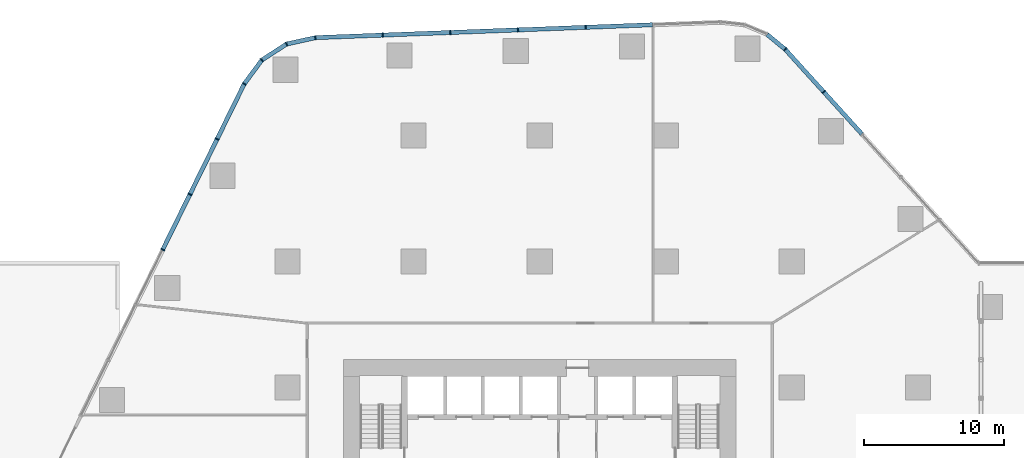
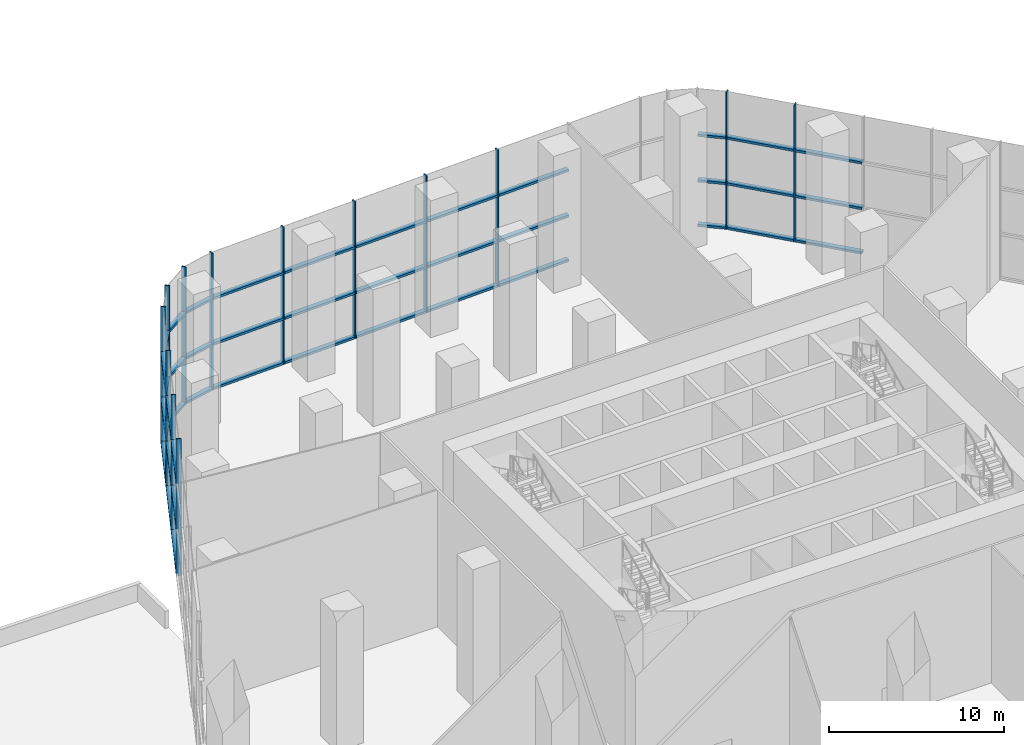
# One storey, part 9 of 21: 55 members, 5 elements without a shape of their own.
"""IFC4 building model written with IfcOpenShell, lengths in metres."""

from ifc_helpers import new_model, si_unit, direction, frame, origin, origin_2d, place, context, subcontext, project, spatial, rectangle, extrude, material, layer, layer_set, material_profile, profile_set, type_object, element, aggregate, save


model = new_model("IFC4")

# Units and contexts
model_context = context("Model", 3, precision=1e-05, world=origin(), true_north=direction((0.0, 1.0)))
body_context = subcontext(model_context, "Body", "Model", "MODEL_VIEW")
ifc_project = project(units=[si_unit("LENGTHUNIT", "METRE"), si_unit("AREAUNIT", "SQUARE_METRE"), si_unit("VOLUMEUNIT", "CUBIC_METRE"), si_unit("PLANEANGLEUNIT", "RADIAN"), si_unit("MASSUNIT", "GRAM", prefix="KILO")], contexts=[model_context])

# Site, building, storey
site_placement = place(None, origin())
site = spatial("IfcSite", under=ifc_project, at=site_placement, CompositionType="ELEMENT")
building_placement = place(site_placement, origin())
building = spatial("IfcBuilding", under=site, at=building_placement, Name="Dongbaek Canopy Tower", CompositionType="ELEMENT")
storey_placement = place(building_placement, frame((0.0, 0.0, 9.0)))
storey = spatial("IfcBuildingStorey", under=building, at=storey_placement, Name="L01", CompositionType="ELEMENT", Elevation=9.0)

# Curtain wall, members
ifc_material_1 = material(Name="Aluminium 6063-T6 pale anodised", Category="aluminium")
ifc_layer = layer(ifc_material_1, 0.300048828125)
ifc_layer_set = layer_set([ifc_layer], Name="CW-2 podium hall curtain wall")
curtain_wall_type = type_object("IfcCurtainWallType", Name="CW-2 podium hall curtain wall", PredefinedType="NOTDEFINED", material=ifc_layer_set)
curtain_wall_1_placement = place(storey_placement, origin())
curtain_wall_1 = element("IfcCurtainWall", 1, at=curtain_wall_1_placement, inside=storey, type_object=curtain_wall_type, Name="CW-2 curtain wall F5.1", PredefinedType="NOTDEFINED")
ifc_material_2 = material(Name="Aluminium 6063-T6 pale anodised", Category="aluminium")
ifc_material_profile_1 = material_profile(ifc_material_2, rectangle(XDim=0.300048828125, YDim=0.080078125, at=origin_2d()), Name="CW-2 mullion 80 x 300")
ifc_profile_set_1 = profile_set([ifc_material_profile_1], Name="Aluminium 6063-T6 pale anodised")
member_type_1 = type_object("IfcMemberType", Name="CW-2 mullion 80 x 300", PredefinedType="MULLION", material=ifc_profile_set_1)
member_1_placement = place(storey_placement, frame((20.27880859375, 30.1123046875, 0.0), z_axis=(0.0, 0.0, 1.0), x_axis=(0.741222237121, 0.671259707711, 0.0)))
member_1 = element("IfcMember", 2, at=member_1_placement, type_object=member_type_1, Name="CW-2 mullion F5.1.5", PredefinedType="MULLION", context=body_context, shape_type="SweptSolid", body=[
    extrude(rectangle(XDim=0.300048828125, YDim=0.080078125, at=origin_2d()), origin(), (0.0, 0.0, 1.0), 9.550048828125),
])
member_2_placement = place(storey_placement, frame((17.5263671875, 33.15185546875, 0.0), z_axis=(0.0, 0.0, 1.0), x_axis=(0.741222237121, 0.671259707711, 0.0)))
member_2 = element("IfcMember", 3, at=member_2_placement, type_object=member_type_1, Name="CW-2 mullion F5.1.6", PredefinedType="MULLION", context=body_context, shape_type="SweptSolid", body=[
    extrude(rectangle(XDim=0.300048828125, YDim=0.080078125, at=origin_2d()), origin(), (0.0, 0.0, 1.0), 9.550048828125),
])

curtain_wall_2_placement = place(storey_placement, origin())
curtain_wall_2 = element("IfcCurtainWall", 4, at=curtain_wall_2_placement, inside=storey, type_object=curtain_wall_type, Name="CW-2 curtain wall F6.1", PredefinedType="NOTDEFINED")
member_3_placement = place(storey_placement, frame((3.27490234375, 34.723388671875, 0.0), z_axis=(0.0, 0.0, 1.0), x_axis=(-0.038231975991, 0.999268890746, 0.0)))
member_3 = element("IfcMember", 5, at=member_3_placement, type_object=member_type_1, Name="CW-2 mullion F6.1.3", PredefinedType="MULLION", context=body_context, shape_type="SweptSolid", body=[
    extrude(rectangle(XDim=0.300048828125, YDim=0.080078125, at=origin_2d()), origin(), (0.0, 0.0, 1.0), 9.550048828125),
])
member_4_placement = place(storey_placement, frame((-1.549072265625, 34.538818359375, 0.0), z_axis=(0.0, 0.0, 1.0), x_axis=(-0.038231975991, 0.999268890746, 0.0)))
member_4 = element("IfcMember", 6, at=member_4_placement, type_object=member_type_1, Name="CW-2 mullion F6.1.4", PredefinedType="MULLION", context=body_context, shape_type="SweptSolid", body=[
    extrude(rectangle(XDim=0.300048828125, YDim=0.080078125, at=origin_2d()), origin(), (0.0, 0.0, 1.0), 9.550048828125),
])
member_5_placement = place(storey_placement, frame((-6.372802734375, 34.354248046875, 0.0), z_axis=(0.0, 0.0, 1.0), x_axis=(-0.038231975991, 0.999268890746, 0.0)))
member_5 = element("IfcMember", 7, at=member_5_placement, type_object=member_type_1, Name="CW-2 mullion F6.1.5", PredefinedType="MULLION", context=body_context, shape_type="SweptSolid", body=[
    extrude(rectangle(XDim=0.300048828125, YDim=0.080078125, at=origin_2d()), origin(), (0.0, 0.0, 1.0), 9.550048828125),
])
member_6_placement = place(storey_placement, frame((-11.19677734375, 34.169677734375, 0.0), z_axis=(0.0, 0.0, 1.0), x_axis=(-0.038231975991, 0.999268890746, 0.0)))
member_6 = element("IfcMember", 8, at=member_6_placement, type_object=member_type_1, Name="CW-2 mullion F6.1.6", PredefinedType="MULLION", context=body_context, shape_type="SweptSolid", body=[
    extrude(rectangle(XDim=0.300048828125, YDim=0.080078125, at=origin_2d()), origin(), (0.0, 0.0, 1.0), 9.550048828125),
])
member_7_placement = place(storey_placement, frame((-16.01171875, 33.9853515625, 0.0), z_axis=(0.0, 0.0, 1.0), x_axis=(-0.038231975991, 0.999268890746, 0.0)))
member_7 = element("IfcMember", 9, at=member_7_placement, type_object=member_type_1, Name="CW-2 mullion F6.1.7", PredefinedType="MULLION", context=body_context, shape_type="SweptSolid", body=[
    extrude(rectangle(XDim=0.300048828125, YDim=0.080078125, at=origin_2d()), origin(), (0.0, 0.0, 1.0), 9.550048828125),
])

curtain_wall_3_placement = place(storey_placement, origin())
curtain_wall_3 = element("IfcCurtainWall", 10, at=curtain_wall_3_placement, inside=storey, type_object=curtain_wall_type, Name="CW-2 curtain wall K2.1", PredefinedType="NOTDEFINED")
member_8_placement = place(storey_placement, frame((-18.07421875, 33.529541015625, 0.0), z_axis=(0.0, 0.0, 1.0), x_axis=(-0.386403140373, 0.92232999144, 0.0)))
member_8 = element("IfcMember", 11, at=member_8_placement, type_object=member_type_1, Name="CW-2 mullion K2.1.2", PredefinedType="MULLION", context=body_context, shape_type="SweptSolid", body=[
    extrude(rectangle(XDim=0.300048828125, YDim=0.080078125, at=origin_2d()), origin(), (0.0, 0.0, 1.0), 9.550048828125),
])
member_9_placement = place(storey_placement, frame((-19.838134765625, 32.384033203125, 0.0), z_axis=(0.0, 0.0, 1.0), x_axis=(-0.685445734799, 0.728123715207, 0.0)))
member_9 = element("IfcMember", 12, at=member_9_placement, type_object=member_type_1, Name="CW-2 mullion K2.1.3", PredefinedType="MULLION", context=body_context, shape_type="SweptSolid", body=[
    extrude(rectangle(XDim=0.300048828125, YDim=0.080078125, at=origin_2d()), origin(), (0.0, 0.0, 1.0), 9.550048828125),
])
member_10_placement = place(storey_placement, frame((-21.093505859375, 30.685302734375, 0.0), z_axis=(0.0, 0.0, 1.0), x_axis=(-0.804277971373, 0.594253266515, 0.0)))
member_10 = element("IfcMember", 13, at=member_10_placement, type_object=member_type_1, Name="CW-2 mullion K2.1.4", PredefinedType="MULLION", context=body_context, shape_type="SweptSolid", body=[
    extrude(rectangle(XDim=0.300048828125, YDim=0.080078125, at=origin_2d()), origin(), (0.0, 0.0, 1.0), 9.550048828125),
])

curtain_wall_4_placement = place(storey_placement, origin())
curtain_wall_4 = element("IfcCurtainWall", 14, at=curtain_wall_4_placement, inside=storey, type_object=curtain_wall_type, Name="CW-2 curtain wall F7.1", PredefinedType="NOTDEFINED")
member_11_placement = place(storey_placement, frame((-23.031005859375, 26.74560546875, 0.0), z_axis=(0.0, 0.0, 1.0), x_axis=(-0.897339166815, 0.441341613378, 0.0)))
member_11 = element("IfcMember", 15, at=member_11_placement, type_object=member_type_1, Name="CW-2 mullion F7.1.2", PredefinedType="MULLION", context=body_context, shape_type="SweptSolid", body=[
    extrude(rectangle(XDim=0.300048828125, YDim=0.080078125, at=origin_2d()), origin(), (0.0, 0.0, 1.0), 9.550048828125),
])
member_12_placement = place(storey_placement, frame((-24.97265625, 22.797607421875, 0.0), z_axis=(0.0, 0.0, 1.0), x_axis=(-0.897339166815, 0.441341613378, 0.0)))
member_12 = element("IfcMember", 16, at=member_12_placement, type_object=member_type_1, Name="CW-2 mullion F7.1.3", PredefinedType="MULLION", context=body_context, shape_type="SweptSolid", body=[
    extrude(rectangle(XDim=0.300048828125, YDim=0.080078125, at=origin_2d()), origin(), (0.0, 0.0, 1.0), 9.550048828125),
])
member_13_placement = place(storey_placement, frame((-26.914306640625, 18.849853515625, 0.0), z_axis=(0.0, 0.0, 1.0), x_axis=(-0.897339166815, 0.441341613378, 0.0)))
member_13 = element("IfcMember", 17, at=member_13_placement, type_object=member_type_1, Name="CW-2 mullion F7.1.4", PredefinedType="MULLION", context=body_context, shape_type="SweptSolid", body=[
    extrude(rectangle(XDim=0.300048828125, YDim=0.080078125, at=origin_2d()), origin(), (0.0, 0.0, 1.0), 9.550048828125),
])

# Member
ifc_material_3 = material(Name="Aluminium 6063-T6 pale anodised", Category="aluminium")
ifc_material_profile_2 = material_profile(ifc_material_3, rectangle(XDim=0.300048828125, YDim=0.159912109375, at=origin_2d()), Name="CW-2 transom 160 x 300")
ifc_profile_set_2 = profile_set([ifc_material_profile_2], Name="Aluminium 6063-T6 pale anodised")
member_type_2 = type_object("IfcMemberType", Name="CW-2 transom 160 x 300", PredefinedType="USERDEFINED", material=ifc_profile_set_2)
member_14_placement = place(storey_placement, frame((23.00146484375, 27.10595703125, 0.080078125), z_axis=(-0.671272480053, 0.741210670136, 0.0), x_axis=(-0.741210670136, -0.671272480053, 0.0)))
member_14 = element("IfcMember", 18, at=member_14_placement, type_object=member_type_2, Name="CW-2 transom F5.1.4.1", ObjectType="TRANSOM", PredefinedType="USERDEFINED", context=body_context, shape_type="SweptSolid", body=[
    extrude(rectangle(XDim=0.300048828125, YDim=0.159912109375, at=origin_2d()), origin(), (0.0, 0.0, 1.0), 4.00390625),
])

member_15_placement = place(storey_placement, frame((23.00146484375, 27.10595703125, 3.183349609375), z_axis=(-0.671272480053, 0.741210670136, 0.0), x_axis=(-0.741210670136, -0.671272480053, 0.0)))
member_15 = element("IfcMember", 19, at=member_15_placement, type_object=member_type_2, Name="CW-2 transom F5.1.4.2", ObjectType="TRANSOM", PredefinedType="USERDEFINED", context=body_context, shape_type="SweptSolid", body=[
    extrude(rectangle(XDim=0.300048828125, YDim=0.159912109375, at=origin_2d()), origin(), (0.0, 0.0, 1.0), 4.00390625),
])

member_16_placement = place(storey_placement, frame((23.00146484375, 27.10595703125, 6.36669921875), z_axis=(-0.671272480053, 0.741210670136, 0.0), x_axis=(-0.741210670136, -0.671272480053, 0.0)))
member_16 = element("IfcMember", 20, at=member_16_placement, type_object=member_type_2, Name="CW-2 transom F5.1.4.3", ObjectType="TRANSOM", PredefinedType="USERDEFINED", context=body_context, shape_type="SweptSolid", body=[
    extrude(rectangle(XDim=0.300048828125, YDim=0.159912109375, at=origin_2d()), origin(), (0.0, 0.0, 1.0), 4.00390625),
])

member_17_placement = place(storey_placement, frame((20.243896484375, 30.15087890625, 0.080078125), z_axis=(-0.671236372307, 0.741243369273, 0.0), x_axis=(-0.741243369273, -0.671236372307, 0.0)))
member_17 = element("IfcMember", 21, at=member_17_placement, type_object=member_type_2, Name="CW-2 transom F5.1.5.1", ObjectType="TRANSOM", PredefinedType="USERDEFINED", context=body_context, shape_type="SweptSolid", body=[
    extrude(rectangle(XDim=0.300048828125, YDim=0.159912109375, at=origin_2d()), origin(), (0.0, 0.0, 1.0), 3.99658203125),
])

member_18_placement = place(storey_placement, frame((20.243896484375, 30.15087890625, 3.183349609375), z_axis=(-0.671236372307, 0.741243369273, 0.0), x_axis=(-0.741243369273, -0.671236372307, 0.0)))
member_18 = element("IfcMember", 22, at=member_18_placement, type_object=member_type_2, Name="CW-2 transom F5.1.5.2", ObjectType="TRANSOM", PredefinedType="USERDEFINED", context=body_context, shape_type="SweptSolid", body=[
    extrude(rectangle(XDim=0.300048828125, YDim=0.159912109375, at=origin_2d()), origin(), (0.0, 0.0, 1.0), 3.99658203125),
])

member_19_placement = place(storey_placement, frame((20.243896484375, 30.15087890625, 6.36669921875), z_axis=(-0.671236372307, 0.741243369273, 0.0), x_axis=(-0.741243369273, -0.671236372307, 0.0)))
member_19 = element("IfcMember", 23, at=member_19_placement, type_object=member_type_2, Name="CW-2 transom F5.1.5.3", ObjectType="TRANSOM", PredefinedType="USERDEFINED", context=body_context, shape_type="SweptSolid", body=[
    extrude(rectangle(XDim=0.300048828125, YDim=0.159912109375, at=origin_2d()), origin(), (0.0, 0.0, 1.0), 3.99658203125),
])

aggregate(curtain_wall_1, [member_1, member_2, member_14, member_15, member_16, member_17, member_18, member_19])

# Curtain wall, members
curtain_wall_5_placement = place(storey_placement, origin())
curtain_wall_5 = element("IfcCurtainWall", 24, at=curtain_wall_5_placement, inside=storey, type_object=curtain_wall_type, Name="CW-2 curtain wall K1.1", PredefinedType="NOTDEFINED")
member_20_placement = place(storey_placement, frame((17.486083984375, 33.184814453125, 0.080078125), z_axis=(-0.77162012157, 0.636083632857, 0.0), x_axis=(-0.636083632857, -0.77162012157, 0.0)))
member_20 = element("IfcMember", 25, at=member_20_placement, type_object=member_type_2, Name="CW-2 transom K1.1.1.1", ObjectType="TRANSOM", PredefinedType="USERDEFINED", context=body_context, shape_type="SweptSolid", body=[
    extrude(rectangle(XDim=0.300048828125, YDim=0.159912109375, at=origin_2d()), origin(), (0.0, 0.0, 1.0), 1.614013671875),
])
member_21_placement = place(storey_placement, frame((17.486083984375, 33.184814453125, 3.183349609375), z_axis=(-0.77162012157, 0.636083632857, 0.0), x_axis=(-0.636083632857, -0.77162012157, 0.0)))
member_21 = element("IfcMember", 26, at=member_21_placement, type_object=member_type_2, Name="CW-2 transom K1.1.1.2", ObjectType="TRANSOM", PredefinedType="USERDEFINED", context=body_context, shape_type="SweptSolid", body=[
    extrude(rectangle(XDim=0.300048828125, YDim=0.159912109375, at=origin_2d()), origin(), (0.0, 0.0, 1.0), 1.614013671875),
])
member_22_placement = place(storey_placement, frame((17.486083984375, 33.184814453125, 6.36669921875), z_axis=(-0.77162012157, 0.636083632857, 0.0), x_axis=(-0.636083632857, -0.77162012157, 0.0)))
member_22 = element("IfcMember", 27, at=member_22_placement, type_object=member_type_2, Name="CW-2 transom K1.1.1.3", ObjectType="TRANSOM", PredefinedType="USERDEFINED", context=body_context, shape_type="SweptSolid", body=[
    extrude(rectangle(XDim=0.300048828125, YDim=0.159912109375, at=origin_2d()), origin(), (0.0, 0.0, 1.0), 1.614013671875),
])
aggregate(curtain_wall_5, [member_20, member_21, member_22])

# Member
member_23_placement = place(storey_placement, frame((8.046875, 34.906005859375, 0.080078125), z_axis=(-0.999268257886, -0.038248513466, 0.0), x_axis=(0.038248513466, -0.999268257886, 0.0)))
member_23 = element("IfcMember", 28, at=member_23_placement, type_object=member_type_2, Name="CW-2 transom F6.1.2.1", ObjectType="TRANSOM", PredefinedType="USERDEFINED", context=body_context, shape_type="SweptSolid", body=[
    extrude(rectangle(XDim=0.300048828125, YDim=0.159912109375, at=origin_2d()), origin(), (0.0, 0.0, 1.0), 4.723388671875),
])

member_24_placement = place(storey_placement, frame((8.046875, 34.906005859375, 3.183349609375), z_axis=(-0.999268257886, -0.038248513466, 0.0), x_axis=(0.038248513466, -0.999268257886, 0.0)))
member_24 = element("IfcMember", 29, at=member_24_placement, type_object=member_type_2, Name="CW-2 transom F6.1.2.2", ObjectType="TRANSOM", PredefinedType="USERDEFINED", context=body_context, shape_type="SweptSolid", body=[
    extrude(rectangle(XDim=0.300048828125, YDim=0.159912109375, at=origin_2d()), origin(), (0.0, 0.0, 1.0), 4.723388671875),
])

member_25_placement = place(storey_placement, frame((8.046875, 34.906005859375, 6.36669921875), z_axis=(-0.999268257886, -0.038248513466, 0.0), x_axis=(0.038248513466, -0.999268257886, 0.0)))
member_25 = element("IfcMember", 30, at=member_25_placement, type_object=member_type_2, Name="CW-2 transom F6.1.2.3", ObjectType="TRANSOM", PredefinedType="USERDEFINED", context=body_context, shape_type="SweptSolid", body=[
    extrude(rectangle(XDim=0.300048828125, YDim=0.159912109375, at=origin_2d()), origin(), (0.0, 0.0, 1.0), 4.723388671875),
])

member_26_placement = place(storey_placement, frame((3.222900390625, 34.721435546875, 0.080078125), z_axis=(-0.999268257886, -0.038248513466, 0.0), x_axis=(0.038248513466, -0.999268257886, 0.0)))
member_26 = element("IfcMember", 31, at=member_26_placement, type_object=member_type_2, Name="CW-2 transom F6.1.3.1", ObjectType="TRANSOM", PredefinedType="USERDEFINED", context=body_context, shape_type="SweptSolid", body=[
    extrude(rectangle(XDim=0.300048828125, YDim=0.159912109375, at=origin_2d()), origin(), (0.0, 0.0, 1.0), 4.723388671875),
])

member_27_placement = place(storey_placement, frame((3.222900390625, 34.721435546875, 3.183349609375), z_axis=(-0.999268257886, -0.038248513466, 0.0), x_axis=(0.038248513466, -0.999268257886, 0.0)))
member_27 = element("IfcMember", 32, at=member_27_placement, type_object=member_type_2, Name="CW-2 transom F6.1.3.2", ObjectType="TRANSOM", PredefinedType="USERDEFINED", context=body_context, shape_type="SweptSolid", body=[
    extrude(rectangle(XDim=0.300048828125, YDim=0.159912109375, at=origin_2d()), origin(), (0.0, 0.0, 1.0), 4.723388671875),
])

member_28_placement = place(storey_placement, frame((3.222900390625, 34.721435546875, 6.36669921875), z_axis=(-0.999268257886, -0.038248513466, 0.0), x_axis=(0.038248513466, -0.999268257886, 0.0)))
member_28 = element("IfcMember", 33, at=member_28_placement, type_object=member_type_2, Name="CW-2 transom F6.1.3.3", ObjectType="TRANSOM", PredefinedType="USERDEFINED", context=body_context, shape_type="SweptSolid", body=[
    extrude(rectangle(XDim=0.300048828125, YDim=0.159912109375, at=origin_2d()), origin(), (0.0, 0.0, 1.0), 4.723388671875),
])

member_29_placement = place(storey_placement, frame((-1.60107421875, 34.536865234375, 0.080078125), z_axis=(-0.999268257886, -0.038248513466, 0.0), x_axis=(0.038248513466, -0.999268257886, 0.0)))
member_29 = element("IfcMember", 34, at=member_29_placement, type_object=member_type_2, Name="CW-2 transom F6.1.4.1", ObjectType="TRANSOM", PredefinedType="USERDEFINED", context=body_context, shape_type="SweptSolid", body=[
    extrude(rectangle(XDim=0.300048828125, YDim=0.159912109375, at=origin_2d()), origin(), (0.0, 0.0, 1.0), 4.723388671875),
])

member_30_placement = place(storey_placement, frame((-1.60107421875, 34.536865234375, 3.183349609375), z_axis=(-0.999268257886, -0.038248513466, 0.0), x_axis=(0.038248513466, -0.999268257886, 0.0)))
member_30 = element("IfcMember", 35, at=member_30_placement, type_object=member_type_2, Name="CW-2 transom F6.1.4.2", ObjectType="TRANSOM", PredefinedType="USERDEFINED", context=body_context, shape_type="SweptSolid", body=[
    extrude(rectangle(XDim=0.300048828125, YDim=0.159912109375, at=origin_2d()), origin(), (0.0, 0.0, 1.0), 4.723388671875),
])

member_31_placement = place(storey_placement, frame((-1.60107421875, 34.536865234375, 6.36669921875), z_axis=(-0.999268257886, -0.038248513466, 0.0), x_axis=(0.038248513466, -0.999268257886, 0.0)))
member_31 = element("IfcMember", 36, at=member_31_placement, type_object=member_type_2, Name="CW-2 transom F6.1.4.3", ObjectType="TRANSOM", PredefinedType="USERDEFINED", context=body_context, shape_type="SweptSolid", body=[
    extrude(rectangle(XDim=0.300048828125, YDim=0.159912109375, at=origin_2d()), origin(), (0.0, 0.0, 1.0), 4.723388671875),
])

member_32_placement = place(storey_placement, frame((-6.4248046875, 34.352294921875, 0.080078125), z_axis=(-0.999268257886, -0.038248513466, 0.0), x_axis=(0.038248513466, -0.999268257886, 0.0)))
member_32 = element("IfcMember", 37, at=member_32_placement, type_object=member_type_2, Name="CW-2 transom F6.1.5.1", ObjectType="TRANSOM", PredefinedType="USERDEFINED", context=body_context, shape_type="SweptSolid", body=[
    extrude(rectangle(XDim=0.300048828125, YDim=0.159912109375, at=origin_2d()), origin(), (0.0, 0.0, 1.0), 4.723388671875),
])

member_33_placement = place(storey_placement, frame((-6.4248046875, 34.352294921875, 3.183349609375), z_axis=(-0.999268257886, -0.038248513466, 0.0), x_axis=(0.038248513466, -0.999268257886, 0.0)))
member_33 = element("IfcMember", 38, at=member_33_placement, type_object=member_type_2, Name="CW-2 transom F6.1.5.2", ObjectType="TRANSOM", PredefinedType="USERDEFINED", context=body_context, shape_type="SweptSolid", body=[
    extrude(rectangle(XDim=0.300048828125, YDim=0.159912109375, at=origin_2d()), origin(), (0.0, 0.0, 1.0), 4.723388671875),
])

member_34_placement = place(storey_placement, frame((-6.4248046875, 34.352294921875, 6.36669921875), z_axis=(-0.999268257886, -0.038248513466, 0.0), x_axis=(0.038248513466, -0.999268257886, 0.0)))
member_34 = element("IfcMember", 39, at=member_34_placement, type_object=member_type_2, Name="CW-2 transom F6.1.5.3", ObjectType="TRANSOM", PredefinedType="USERDEFINED", context=body_context, shape_type="SweptSolid", body=[
    extrude(rectangle(XDim=0.300048828125, YDim=0.159912109375, at=origin_2d()), origin(), (0.0, 0.0, 1.0), 4.723388671875),
])

member_35_placement = place(storey_placement, frame((-11.248779296875, 34.167724609375, 0.080078125), z_axis=(-0.999267433808, -0.038270036981, 0.0), x_axis=(0.038270036981, -0.999267433808, 0.0)))
member_35 = element("IfcMember", 40, at=member_35_placement, type_object=member_type_2, Name="CW-2 transom F6.1.6.1", ObjectType="TRANSOM", PredefinedType="USERDEFINED", context=body_context, shape_type="SweptSolid", body=[
    extrude(rectangle(XDim=0.300048828125, YDim=0.159912109375, at=origin_2d()), origin(), (0.0, 0.0, 1.0), 4.71435546875),
])

member_36_placement = place(storey_placement, frame((-11.248779296875, 34.167724609375, 3.183349609375), z_axis=(-0.999267433808, -0.038270036981, 0.0), x_axis=(0.038270036981, -0.999267433808, 0.0)))
member_36 = element("IfcMember", 41, at=member_36_placement, type_object=member_type_2, Name="CW-2 transom F6.1.6.2", ObjectType="TRANSOM", PredefinedType="USERDEFINED", context=body_context, shape_type="SweptSolid", body=[
    extrude(rectangle(XDim=0.300048828125, YDim=0.159912109375, at=origin_2d()), origin(), (0.0, 0.0, 1.0), 4.71435546875),
])

member_37_placement = place(storey_placement, frame((-11.248779296875, 34.167724609375, 6.36669921875), z_axis=(-0.999267433808, -0.038270036981, 0.0), x_axis=(0.038270036981, -0.999267433808, 0.0)))
member_37 = element("IfcMember", 42, at=member_37_placement, type_object=member_type_2, Name="CW-2 transom F6.1.6.3", ObjectType="TRANSOM", PredefinedType="USERDEFINED", context=body_context, shape_type="SweptSolid", body=[
    extrude(rectangle(XDim=0.300048828125, YDim=0.159912109375, at=origin_2d()), origin(), (0.0, 0.0, 1.0), 4.71435546875),
])

aggregate(curtain_wall_2, [member_3, member_4, member_5, member_6, member_7, member_23, member_24, member_25, member_26, member_27, member_28, member_29, member_30, member_31, member_32, member_33, member_34, member_35, member_36, member_37])

member_38_placement = place(storey_placement, frame((-16.0625, 33.97412109375, 0.080078125), z_axis=(-0.976440967433, -0.215784700846, 0.0), x_axis=(0.215784700846, -0.976440967433, 0.0)))
member_38 = element("IfcMember", 43, at=member_38_placement, type_object=member_type_2, Name="CW-2 transom K2.1.1.1", ObjectType="TRANSOM", PredefinedType="USERDEFINED", context=body_context, shape_type="SweptSolid", body=[
    extrude(rectangle(XDim=0.300048828125, YDim=0.159912109375, at=origin_2d()), origin(), (0.0, 0.0, 1.0), 2.00830078125),
])

member_39_placement = place(storey_placement, frame((-16.0625, 33.97412109375, 3.183349609375), z_axis=(-0.976440967433, -0.215784700846, 0.0), x_axis=(0.215784700846, -0.976440967433, 0.0)))
member_39 = element("IfcMember", 44, at=member_39_placement, type_object=member_type_2, Name="CW-2 transom K2.1.1.2", ObjectType="TRANSOM", PredefinedType="USERDEFINED", context=body_context, shape_type="SweptSolid", body=[
    extrude(rectangle(XDim=0.300048828125, YDim=0.159912109375, at=origin_2d()), origin(), (0.0, 0.0, 1.0), 2.00830078125),
])

member_40_placement = place(storey_placement, frame((-16.0625, 33.97412109375, 6.36669921875), z_axis=(-0.976440967433, -0.215784700846, 0.0), x_axis=(0.215784700846, -0.976440967433, 0.0)))
member_40 = element("IfcMember", 45, at=member_40_placement, type_object=member_type_2, Name="CW-2 transom K2.1.1.3", ObjectType="TRANSOM", PredefinedType="USERDEFINED", context=body_context, shape_type="SweptSolid", body=[
    extrude(rectangle(XDim=0.300048828125, YDim=0.159912109375, at=origin_2d()), origin(), (0.0, 0.0, 1.0), 2.00830078125),
])

member_41_placement = place(storey_placement, frame((-18.117919921875, 33.501220703125, 0.080078125), z_axis=(-0.838641667451, -0.544683535289, 0.0), x_axis=(0.544683535289, -0.838641667451, 0.0)))
member_41 = element("IfcMember", 46, at=member_41_placement, type_object=member_type_2, Name="CW-2 transom K2.1.2.1", ObjectType="TRANSOM", PredefinedType="USERDEFINED", context=body_context, shape_type="SweptSolid", body=[
    extrude(rectangle(XDim=0.300048828125, YDim=0.159912109375, at=origin_2d()), origin(), (0.0, 0.0, 1.0), 1.9990234375),
])

member_42_placement = place(storey_placement, frame((-18.117919921875, 33.501220703125, 3.183349609375), z_axis=(-0.838641667451, -0.544683535289, 0.0), x_axis=(0.544683535289, -0.838641667451, 0.0)))
member_42 = element("IfcMember", 47, at=member_42_placement, type_object=member_type_2, Name="CW-2 transom K2.1.2.2", ObjectType="TRANSOM", PredefinedType="USERDEFINED", context=body_context, shape_type="SweptSolid", body=[
    extrude(rectangle(XDim=0.300048828125, YDim=0.159912109375, at=origin_2d()), origin(), (0.0, 0.0, 1.0), 1.9990234375),
])

member_43_placement = place(storey_placement, frame((-18.117919921875, 33.501220703125, 6.36669921875), z_axis=(-0.838641667451, -0.544683535289, 0.0), x_axis=(0.544683535289, -0.838641667451, 0.0)))
member_43 = element("IfcMember", 48, at=member_43_placement, type_object=member_type_2, Name="CW-2 transom K2.1.2.3", ObjectType="TRANSOM", PredefinedType="USERDEFINED", context=body_context, shape_type="SweptSolid", body=[
    extrude(rectangle(XDim=0.300048828125, YDim=0.159912109375, at=origin_2d()), origin(), (0.0, 0.0, 1.0), 1.9990234375),
])

member_44_placement = place(storey_placement, frame((-19.869140625, 32.34228515625, 0.080078125), z_axis=(-0.594226975782, -0.804297396025, 0.0), x_axis=(0.804297396025, -0.594226975782, 0.0)))
member_44 = element("IfcMember", 49, at=member_44_placement, type_object=member_type_2, Name="CW-2 transom K2.1.3.1", ObjectType="TRANSOM", PredefinedType="USERDEFINED", context=body_context, shape_type="SweptSolid", body=[
    extrude(rectangle(XDim=0.300048828125, YDim=0.159912109375, at=origin_2d()), origin(), (0.0, 0.0, 1.0), 2.00830078125),
])

member_45_placement = place(storey_placement, frame((-19.869140625, 32.34228515625, 3.183349609375), z_axis=(-0.594226975782, -0.804297396025, 0.0), x_axis=(0.804297396025, -0.594226975782, 0.0)))
member_45 = element("IfcMember", 50, at=member_45_placement, type_object=member_type_2, Name="CW-2 transom K2.1.3.2", ObjectType="TRANSOM", PredefinedType="USERDEFINED", context=body_context, shape_type="SweptSolid", body=[
    extrude(rectangle(XDim=0.300048828125, YDim=0.159912109375, at=origin_2d()), origin(), (0.0, 0.0, 1.0), 2.00830078125),
])

member_46_placement = place(storey_placement, frame((-19.869140625, 32.34228515625, 6.36669921875), z_axis=(-0.594226975782, -0.804297396025, 0.0), x_axis=(0.804297396025, -0.594226975782, 0.0)))
member_46 = element("IfcMember", 51, at=member_46_placement, type_object=member_type_2, Name="CW-2 transom K2.1.3.3", ObjectType="TRANSOM", PredefinedType="USERDEFINED", context=body_context, shape_type="SweptSolid", body=[
    extrude(rectangle(XDim=0.300048828125, YDim=0.159912109375, at=origin_2d()), origin(), (0.0, 0.0, 1.0), 2.00830078125),
])

aggregate(curtain_wall_3, [member_8, member_9, member_10, member_38, member_39, member_40, member_41, member_42, member_43, member_44, member_45, member_46])

member_47_placement = place(storey_placement, frame((-21.116455078125, 30.638671875, 0.080078125), z_axis=(-0.441303114312, -0.897358100927, 0.0), x_axis=(0.897358100927, -0.441303114312, 0.0)))
member_47 = element("IfcMember", 52, at=member_47_placement, type_object=member_type_2, Name="CW-2 transom F7.1.1.1", ObjectType="TRANSOM", PredefinedType="USERDEFINED", context=body_context, shape_type="SweptSolid", body=[
    extrude(rectangle(XDim=0.300048828125, YDim=0.159912109375, at=origin_2d()), origin(), (0.0, 0.0, 1.0), 4.286376953125),
])

member_48_placement = place(storey_placement, frame((-21.116455078125, 30.638671875, 3.183349609375), z_axis=(-0.441303114312, -0.897358100927, 0.0), x_axis=(0.897358100927, -0.441303114312, 0.0)))
member_48 = element("IfcMember", 53, at=member_48_placement, type_object=member_type_2, Name="CW-2 transom F7.1.1.2", ObjectType="TRANSOM", PredefinedType="USERDEFINED", context=body_context, shape_type="SweptSolid", body=[
    extrude(rectangle(XDim=0.300048828125, YDim=0.159912109375, at=origin_2d()), origin(), (0.0, 0.0, 1.0), 4.286376953125),
])

member_49_placement = place(storey_placement, frame((-21.116455078125, 30.638671875, 6.36669921875), z_axis=(-0.441303114312, -0.897358100927, 0.0), x_axis=(0.897358100927, -0.441303114312, 0.0)))
member_49 = element("IfcMember", 54, at=member_49_placement, type_object=member_type_2, Name="CW-2 transom F7.1.1.3", ObjectType="TRANSOM", PredefinedType="USERDEFINED", context=body_context, shape_type="SweptSolid", body=[
    extrude(rectangle(XDim=0.300048828125, YDim=0.159912109375, at=origin_2d()), origin(), (0.0, 0.0, 1.0), 4.286376953125),
])

member_50_placement = place(storey_placement, frame((-23.053955078125, 26.69873046875, 0.080078125), z_axis=(-0.441338412406, -0.897340741154, 0.0), x_axis=(0.897340741154, -0.441338412406, 0.0)))
member_50 = element("IfcMember", 55, at=member_50_placement, type_object=member_type_2, Name="CW-2 transom F7.1.2.1", ObjectType="TRANSOM", PredefinedType="USERDEFINED", context=body_context, shape_type="SweptSolid", body=[
    extrude(rectangle(XDim=0.300048828125, YDim=0.159912109375, at=origin_2d()), origin(), (0.0, 0.0, 1.0), 4.29541015625),
])

member_51_placement = place(storey_placement, frame((-23.053955078125, 26.69873046875, 3.183349609375), z_axis=(-0.441338412406, -0.897340741154, 0.0), x_axis=(0.897340741154, -0.441338412406, 0.0)))
member_51 = element("IfcMember", 56, at=member_51_placement, type_object=member_type_2, Name="CW-2 transom F7.1.2.2", ObjectType="TRANSOM", PredefinedType="USERDEFINED", context=body_context, shape_type="SweptSolid", body=[
    extrude(rectangle(XDim=0.300048828125, YDim=0.159912109375, at=origin_2d()), origin(), (0.0, 0.0, 1.0), 4.29541015625),
])

member_52_placement = place(storey_placement, frame((-23.053955078125, 26.69873046875, 6.36669921875), z_axis=(-0.441338412406, -0.897340741154, 0.0), x_axis=(0.897340741154, -0.441338412406, 0.0)))
member_52 = element("IfcMember", 57, at=member_52_placement, type_object=member_type_2, Name="CW-2 transom F7.1.2.3", ObjectType="TRANSOM", PredefinedType="USERDEFINED", context=body_context, shape_type="SweptSolid", body=[
    extrude(rectangle(XDim=0.300048828125, YDim=0.159912109375, at=origin_2d()), origin(), (0.0, 0.0, 1.0), 4.29541015625),
])

member_53_placement = place(storey_placement, frame((-24.99560546875, 22.7509765625, 0.080078125), z_axis=(-0.441338412406, -0.897340741154, 0.0), x_axis=(0.897340741154, -0.441338412406, 0.0)))
member_53 = element("IfcMember", 58, at=member_53_placement, type_object=member_type_2, Name="CW-2 transom F7.1.3.1", ObjectType="TRANSOM", PredefinedType="USERDEFINED", context=body_context, shape_type="SweptSolid", body=[
    extrude(rectangle(XDim=0.300048828125, YDim=0.159912109375, at=origin_2d()), origin(), (0.0, 0.0, 1.0), 4.29541015625),
])

member_54_placement = place(storey_placement, frame((-24.99560546875, 22.7509765625, 3.183349609375), z_axis=(-0.441338412406, -0.897340741154, 0.0), x_axis=(0.897340741154, -0.441338412406, 0.0)))
member_54 = element("IfcMember", 59, at=member_54_placement, type_object=member_type_2, Name="CW-2 transom F7.1.3.2", ObjectType="TRANSOM", PredefinedType="USERDEFINED", context=body_context, shape_type="SweptSolid", body=[
    extrude(rectangle(XDim=0.300048828125, YDim=0.159912109375, at=origin_2d()), origin(), (0.0, 0.0, 1.0), 4.29541015625),
])

member_55_placement = place(storey_placement, frame((-24.99560546875, 22.7509765625, 6.36669921875), z_axis=(-0.441338412406, -0.897340741154, 0.0), x_axis=(0.897340741154, -0.441338412406, 0.0)))
member_55 = element("IfcMember", 60, at=member_55_placement, type_object=member_type_2, Name="CW-2 transom F7.1.3.3", ObjectType="TRANSOM", PredefinedType="USERDEFINED", context=body_context, shape_type="SweptSolid", body=[
    extrude(rectangle(XDim=0.300048828125, YDim=0.159912109375, at=origin_2d()), origin(), (0.0, 0.0, 1.0), 4.29541015625),
])

aggregate(curtain_wall_4, [member_11, member_12, member_13, member_47, member_48, member_49, member_50, member_51, member_52, member_53, member_54, member_55])

save(model, "model.ifc")
